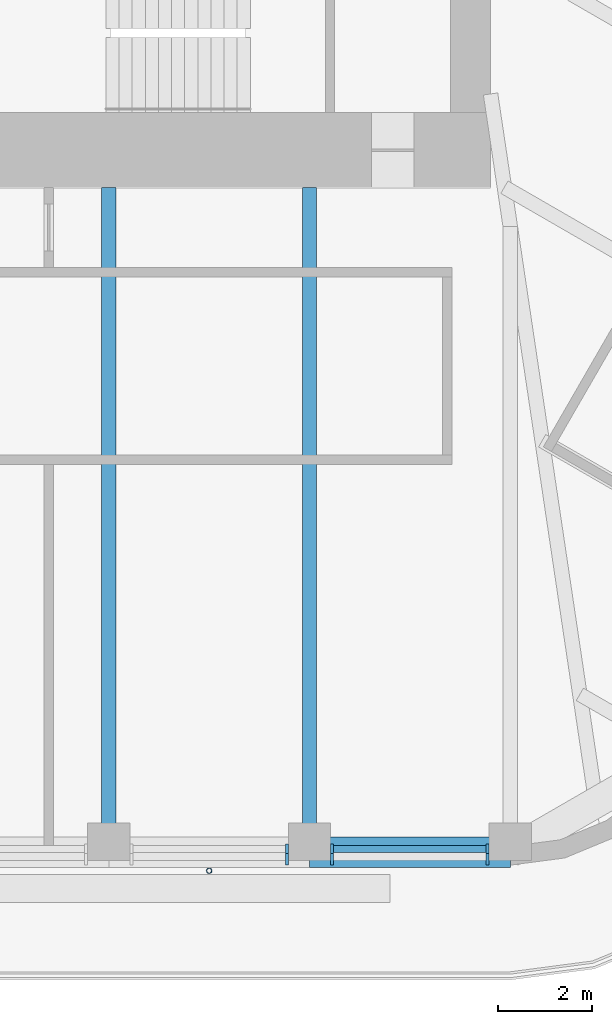
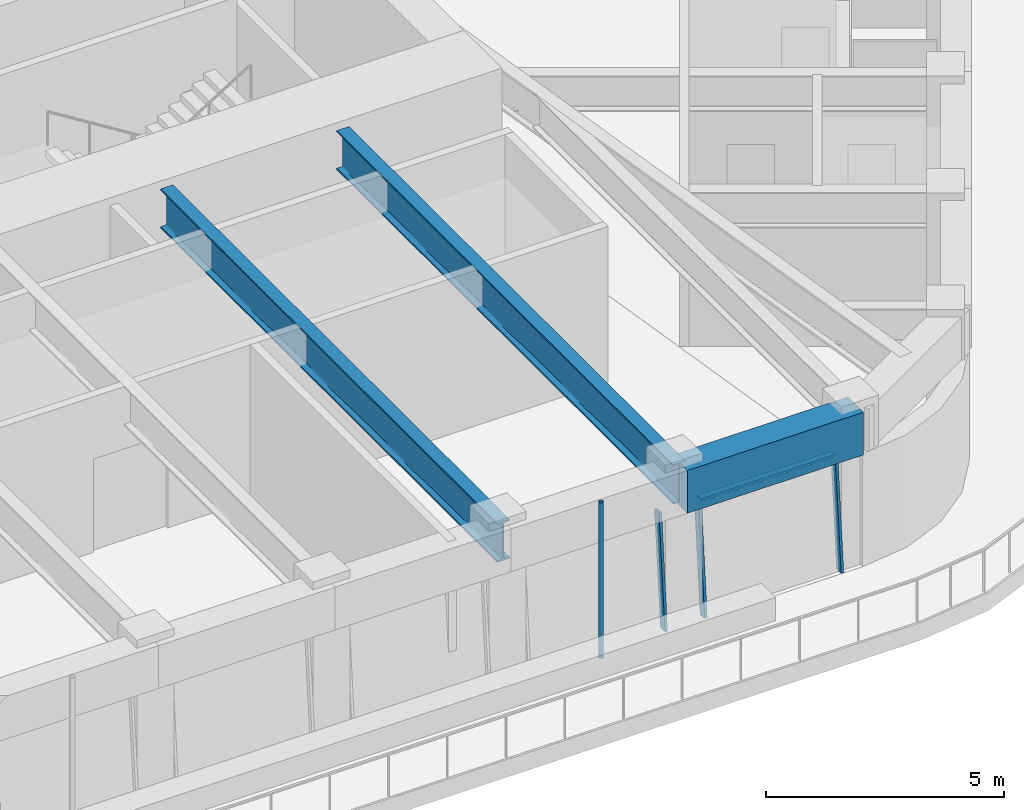
# One storey, part 4 of 19: 5 members, 3 beams, 2 elements without a shape of their own.
"""IFC4 building model written with IfcOpenShell, lengths in metres."""

from ifc_helpers import new_model, si_unit, direction, frame, origin, origin_2d, place, context, subcontext, project, spatial, rectangle, hollow_circle, i_section, extrude, material, material_profile, profile_set, type_object, element, aggregate, save


model = new_model("IFC4")

# Units and contexts
model_context = context("Model", 3, precision=1e-05, world=origin(), true_north=direction((0.0, 1.0)))
body_context = subcontext(model_context, "Body", "Model", "MODEL_VIEW")
ifc_project = project(units=[si_unit("LENGTHUNIT", "METRE"), si_unit("AREAUNIT", "SQUARE_METRE"), si_unit("VOLUMEUNIT", "CUBIC_METRE"), si_unit("PLANEANGLEUNIT", "RADIAN"), si_unit("MASSUNIT", "GRAM", prefix="KILO")], contexts=[model_context])

# Site, building, storey
site_placement = place(None, origin())
site = spatial("IfcSite", under=ifc_project, at=site_placement, CompositionType="ELEMENT")
building_placement = place(site_placement, origin())
building = spatial("IfcBuilding", under=site, at=building_placement, Name="Tarfa Lantern Tower", CompositionType="ELEMENT")
storey_placement = place(building_placement, frame((0.0, 0.0, 357.699951171875)))
storey = spatial("IfcBuildingStorey", under=building, at=storey_placement, Name="L81", CompositionType="ELEMENT", Elevation=357.699951171875)

# Curtain wall, member
ifc_material_1 = material(Name="Aluminium framed curtain wall", Category="aluminium")
curtain_wall_type = type_object("IfcCurtainWallType", Name="CW4 CANTED GLAZING EXECUTIVE ZONE 2900", PredefinedType="USERDEFINED", material=ifc_material_1)
curtain_wall_1_placement = place(storey_placement, origin())
curtain_wall_1 = element("IfcCurtainWall", 1, at=curtain_wall_1_placement, inside=storey, type_object=curtain_wall_type, Name="CW4 S L81", ObjectType="CURTAIN WALL", PredefinedType="USERDEFINED")
ifc_material_2 = material(Name="Aluminium mullion", Category="aluminium")
ifc_material_profile_1 = material_profile(ifc_material_2, rectangle(XDim=0.06494140625, YDim=0.199951171875, at=origin_2d()), Name="AL MULLION 65x200")
ifc_profile_set_1 = profile_set([ifc_material_profile_1], Name="Aluminium mullion")
member_type_1 = type_object("IfcMemberType", Name="CWM1 MULLION 65x200", PredefinedType="MULLION", material=ifc_profile_set_1)
member_1_placement = place(storey_placement, frame((8.08154296875, -26.64990234375, 0.0), z_axis=(0.0, 0.085884035992, 0.996305140186), x_axis=(-1.0, 0.0, 0.0)))
member_1 = element("IfcMember", 2, at=member_1_placement, type_object=member_type_1, Name="CW4 mullion 2", PredefinedType="MULLION", context=body_context, shape_type="SweptSolid", body=[
    extrude(rectangle(XDim=0.06494140625, YDim=0.199951171875, at=origin_2d()), origin(), (0.0, 0.0, 1.0), 2.910888671875),
])
aggregate(curtain_wall_1, [member_1])

# Curtain wall, members
curtain_wall_2_placement = place(storey_placement, origin())
curtain_wall_2 = element("IfcCurtainWall", 3, at=curtain_wall_2_placement, inside=storey, type_object=curtain_wall_type, Name="CW4 S L81", ObjectType="CURTAIN WALL", PredefinedType="USERDEFINED")
member_2_placement = place(storey_placement, frame((9.046630859375, -26.64990234375, 0.0), z_axis=(0.0, 0.085884035992, 0.996305140186), x_axis=(-1.0, 0.0, 0.0)))
member_2 = element("IfcMember", 4, at=member_2_placement, type_object=member_type_1, Name="CW4 mullion 1", PredefinedType="MULLION", context=body_context, shape_type="SweptSolid", body=[
    extrude(rectangle(XDim=0.06494140625, YDim=0.199951171875, at=origin_2d()), origin(), (0.0, 0.0, 1.0), 2.910888671875),
])
member_3_placement = place(storey_placement, frame((12.363525390625, -26.64990234375, 0.0), z_axis=(0.0, 0.085884035992, 0.996305140186), x_axis=(-1.0, 0.0, 0.0)))
member_3 = element("IfcMember", 5, at=member_3_placement, type_object=member_type_1, Name="CW4 mullion 2", PredefinedType="MULLION", context=body_context, shape_type="SweptSolid", body=[
    extrude(rectangle(XDim=0.06494140625, YDim=0.199951171875, at=origin_2d()), origin(), (0.0, 0.0, 1.0), 2.910888671875),
])
ifc_material_3 = material(Name="Aluminium transom", Category="aluminium")
ifc_material_profile_2 = material_profile(ifc_material_3, rectangle(XDim=0.14990234375, YDim=0.06494140625, at=origin_2d()), Name="AL TRANSOM 150x65")
ifc_profile_set_2 = profile_set([ifc_material_profile_2], Name="Aluminium transom")
member_type_2 = type_object("IfcMemberType", Name="CWT1 TRANSOM 150x65", PredefinedType="USERDEFINED", material=ifc_profile_set_2)
member_4_placement = place(storey_placement, frame((9.0791015625, -26.40283203125, 2.867431640625), z_axis=(1.0, 0.0, 0.0), x_axis=(0.0, 1.0, 0.0)))
member_4 = element("IfcMember", 6, at=member_4_placement, type_object=member_type_2, Name="CW4 transom 1.2", ObjectType="TRANSOM", PredefinedType="USERDEFINED", context=body_context, shape_type="SweptSolid", body=[
    extrude(rectangle(XDim=0.14990234375, YDim=0.06494140625, at=origin_2d()), origin(), (0.0, 0.0, 1.0), 3.251953125),
])
aggregate(curtain_wall_2, [member_2, member_3, member_4])

# Beam
ifc_material_4 = material(Name="Concrete C80/95", Category="concrete")
ifc_material_profile_3 = material_profile(ifc_material_4, rectangle(XDim=0.64990234375, YDim=1.10009765625, at=origin_2d()), Name="RC 650x1100")
ifc_profile_set_3 = profile_set([ifc_material_profile_3], Name="Concrete C80/95")
beam_type_1 = type_object("IfcBeamType", Name="EB4 RC 650x1100", PredefinedType="SPANDREL", material=ifc_profile_set_3)
beam_placement = place(storey_placement, frame((8.56396484375, -26.469970703125, 3.449951171875), z_axis=(1.0, 0.0, 0.0), x_axis=(0.0, 1.0, 0.0)))
element("IfcBeam", 7, at=beam_placement, inside=storey, type_object=beam_type_1, Name="Edge beam S5", PredefinedType="SPANDREL", context=body_context, shape_type="SweptSolid", body=[
    extrude(rectangle(XDim=0.64990234375, YDim=1.10009765625, at=origin_2d()), origin(), (0.0, 0.0, 1.0), 4.281982421875),
])

# Member
ifc_material_5 = material(Name="Steel S355", Category="steel")
ifc_material_profile_4 = material_profile(ifc_material_5, hollow_circle(Radius=0.05712890625, WallThickness=0.00634765625, at=origin_2d()), Name="CHS114.3x6.3")
ifc_profile_set_4 = profile_set([ifc_material_profile_4], Name="Steel S355")
member_type_3 = type_object("IfcMemberType", Name="TR1 GREEN WALL TRELLIS CHS114.3x6.3", PredefinedType="USERDEFINED", material=ifc_profile_set_4)
member_5_placement = place(storey_placement, frame((6.423095703125, -26.8701171875, 0.0), z_axis=(0.0, 0.0, 1.0), x_axis=(1.0, 0.0, 0.0)))
element("IfcMember", 8, at=member_5_placement, inside=storey, type_object=member_type_3, Name="Trellis post S 2", ObjectType="TRELLIS", PredefinedType="USERDEFINED", context=body_context, shape_type="SweptSolid", body=[
    extrude(hollow_circle(Radius=0.05712890625, WallThickness=0.00634765625, at=origin_2d()), origin(), (0.0, 0.0, 1.0), 4.0),
])

# Beams
ifc_material_6 = material(Name="Steel S460M", Category="steel")
ifc_material_profile_5 = material_profile(ifc_material_6, i_section(OverallWidth=0.302001953125, OverallDepth=1.008056640625, WebThickness=0.02099609375, FlangeThickness=0.0400390625, FilletRadius=0.030029296875, at=origin_2d()), Name="UB1016x305x349")
ifc_profile_set_5 = profile_set([ifc_material_profile_5], Name="Steel S460M")
beam_type_2 = type_object("IfcBeamType", Name="UB1016x305x349", PredefinedType="BEAM", material=ifc_profile_set_5)
for number, where, z_axis, x_axis, name in (
    (9, (4.281982421875, -26.469970703125, 3.49609375), (0.0, 1.0, 0.0), (-1.0, 0.0, 0.0), "Floor beam S4"),
    (10, (8.56396484375, -26.469970703125, 3.49609375), (0.0, 1.0, 0.0), (-1.0, 0.0, 0.0), "Floor beam S5"),
):
    element("IfcBeam", number, at=place(storey_placement, frame(where, z_axis=z_axis, x_axis=x_axis)), inside=storey, type_object=beam_type_2, Name=name, PredefinedType="BEAM", context=body_context, shape_type="SweptSolid", body=[
        extrude(i_section(OverallWidth=0.302001953125, OverallDepth=1.008056640625, WebThickness=0.02099609375, FlangeThickness=0.0400390625, FilletRadius=0.030029296875, at=origin_2d()), origin(), (0.0, 0.0, 1.0), 14.169921875),
    ])

save(model, "model.ifc")
